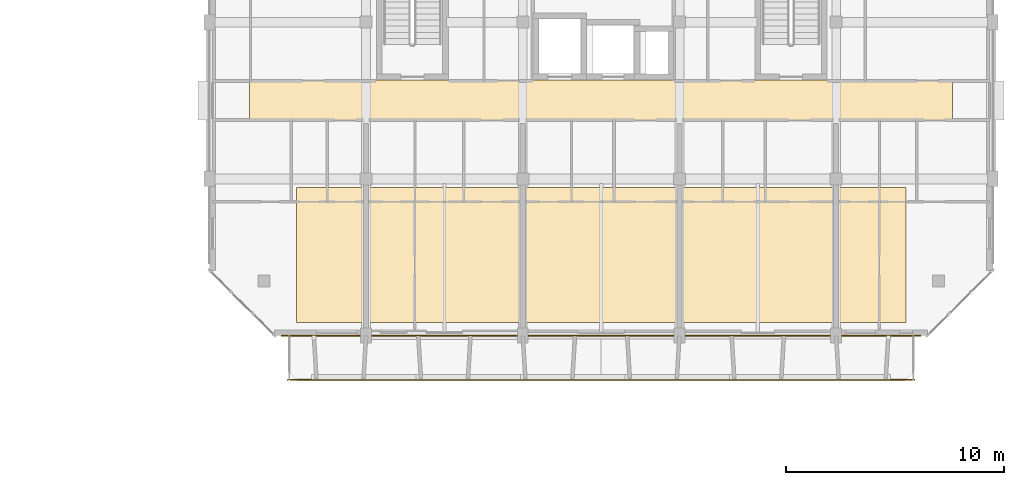
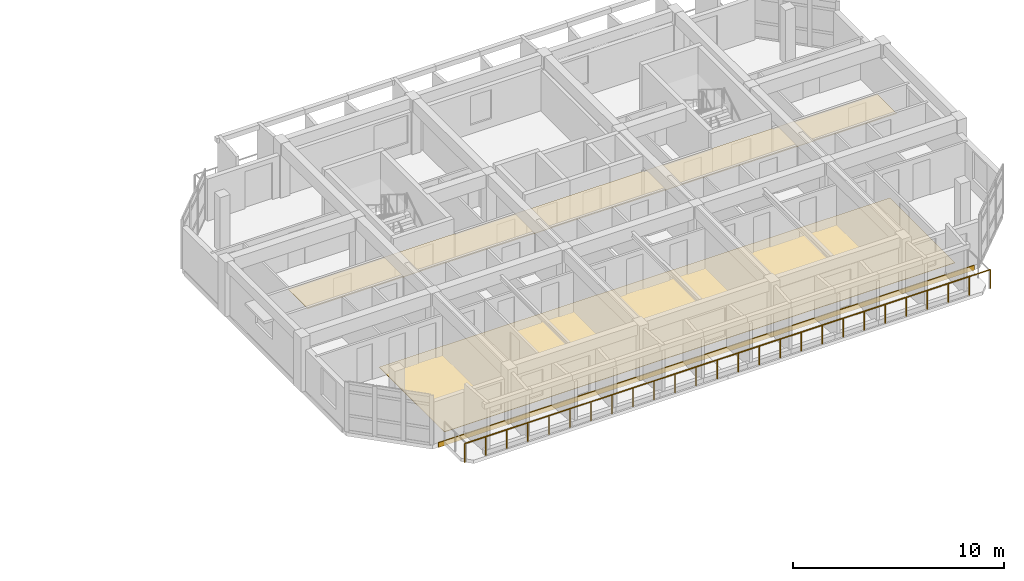
# One storey, part 60 of 64: 3 coverings, 1 railing.
"""IFC4 building model written with IfcOpenShell, lengths in metres."""

from ifc_helpers import new_model, si_unit, direction, frame, origin, origin_2d, place, context, subcontext, project, spatial, polyline, rectangle, circle, outline, extrude, material, layer, layer_set, type_object, element, save


model = new_model("IFC4")

# Units and contexts
model_context = context("Model", 3, precision=1e-05, world=origin(), true_north=direction((0.0, 1.0)))
body_context = subcontext(model_context, "Body", "Model", "MODEL_VIEW")
ifc_project = project(units=[si_unit("LENGTHUNIT", "METRE"), si_unit("AREAUNIT", "SQUARE_METRE"), si_unit("VOLUMEUNIT", "CUBIC_METRE"), si_unit("PLANEANGLEUNIT", "RADIAN"), si_unit("MASSUNIT", "GRAM", prefix="KILO")], contexts=[model_context])

# Site, building, storey
site_placement = place(None, origin())
site = spatial("IfcSite", under=ifc_project, at=site_placement, CompositionType="ELEMENT")
building_placement = place(site_placement, origin())
building = spatial("IfcBuilding", under=site, at=building_placement, Name="Ochrevale Crest", CompositionType="ELEMENT")
storey_placement = place(building_placement, frame((0.0, 0.0, 8.699951171875)))
storey = spatial("IfcBuildingStorey", under=building, at=storey_placement, Name="L02", CompositionType="ELEMENT", Elevation=8.699951171875)

# Coverings
ifc_material_1 = material(Name="Gypsum plasterboard", Category="gypsum")
ifc_layer_1 = layer(ifc_material_1, 0.02490234375)
ifc_layer_set_1 = layer_set([ifc_layer_1], Name="Gypsum plasterboard")
covering_type_1 = type_object("IfcCoveringType", Name="COV-CEIL-GYP", PredefinedType="CEILING", material=ifc_layer_set_1)
covering_1_placement = place(storey_placement, frame((0.0, 0.0, 2.280029296875)))
element("IfcCovering", 1, at=covering_1_placement, inside=storey, type_object=covering_type_1, Name="Block C L02 acoustic corridor ceiling", PredefinedType="CEILING", context=body_context, shape_type="SweptSolid", body=[
    extrude(outline(polyline([(131.449951171875, 24.260009765625), (163.75, 24.260009765625), (163.75, 26.139892578125), (131.449951171875, 26.139892578125), (131.449951171875, 24.260009765625)])), origin(), (0.0, 0.0, 1.0), 0.02490234375),
])
ifc_material_2 = material(Name="Glazed terracotta rainscreen tile", Category="masonry")
ifc_layer_2 = layer(ifc_material_2, 0.048095703125)
ifc_layer_set_2 = layer_set([ifc_layer_2], Name="Glazed terracotta rainscreen tile")
covering_type_2 = type_object("IfcCoveringType", Name="COV-CLAD-TER", PredefinedType="CLADDING", material=ifc_layer_set_2)
covering_2_placement = place(storey_placement, frame((147.60009765625, 14.387451171875, -0.259765625), z_axis=(0.0, 0.0, 1.0), x_axis=(1.0, 0.0, 0.0)))
element("IfcCovering", 2, at=covering_2_placement, inside=storey, type_object=covering_type_2, Name="Block C L02 terracotta slab-edge spandrel cladding", PredefinedType="CLADDING", context=body_context, shape_type="SweptSolid", body=[
    extrude(rectangle(XDim=29.39990234375, YDim=0.06005859375, at=origin_2d()), origin(), (0.0, 0.0, 1.0), 0.280029296875),
])
ifc_material_3 = material(Name="Engineered spotted-gum hardwood flooring", Category="wood")
ifc_layer_3 = layer(ifc_material_3, 0.02001953125)
ifc_layer_set_3 = layer_set([ifc_layer_3], Name="Engineered spotted-gum hardwood flooring")
covering_type_3 = type_object("IfcCoveringType", Name="COV-FLR-TIM", PredefinedType="FLOORING", material=ifc_layer_set_3)
covering_3_placement = place(storey_placement, origin())
element("IfcCovering", 3, at=covering_3_placement, inside=storey, type_object=covering_type_3, Name="Block C L02 spotted-gum apartment flooring", PredefinedType="FLOORING", context=body_context, shape_type="SweptSolid", body=[
    extrude(outline(polyline([(133.60009765625, 15.0), (161.60009765625, 15.0), (161.60009765625, 21.199951171875), (133.60009765625, 21.199951171875), (133.60009765625, 15.0)])), origin(), (0.0, 0.0, 1.0), 0.02001953125),
])

# Railing
ifc_material_4 = material(Name="Galvanised steel", Category="steel")
railing_type = type_object("IfcRailingType", Name="RL-BAL-1100", PredefinedType="BALUSTRADE", material=ifc_material_4)
railing_placement = place(storey_placement, frame((133.199951171875, 12.360107421875, 0.0)))
element("IfcRailing", 4, at=railing_placement, inside=storey, type_object=railing_type, Name="Block C L02 S balcony front balustrade", PredefinedType="BALUSTRADE", context=body_context, shape_type="SweptSolid", body=[
    extrude(circle(Radius=0.02392578125, at=origin_2d()), frame((0.0, 0.0, 1.0859375), z_axis=(1.0, 0.0, 0.0), x_axis=(0.0, 1.0, 0.0)), (0.0, 0.0, 1.0), 28.800048828125),
    extrude(circle(Radius=0.02099609375, at=origin_2d()), origin(), (0.0, 0.0, 1.0), 1.06201171875),
    extrude(circle(Radius=0.02099609375, at=origin_2d()), frame((1.152099609375, 0.0, 0.0)), (0.0, 0.0, 1.0), 1.06201171875),
    extrude(circle(Radius=0.02099609375, at=origin_2d()), frame((2.303955078125, 0.0, 0.0)), (0.0, 0.0, 1.0), 1.06201171875),
    extrude(circle(Radius=0.02099609375, at=origin_2d()), frame((3.4560546875, 0.0, 0.0)), (0.0, 0.0, 1.0), 1.06201171875),
    extrude(circle(Radius=0.02099609375, at=origin_2d()), frame((4.60791015625, 0.0, 0.0)), (0.0, 0.0, 1.0), 1.06201171875),
    extrude(circle(Radius=0.02099609375, at=origin_2d()), frame((5.760009765625, 0.0, 0.0)), (0.0, 0.0, 1.0), 1.06201171875),
    extrude(circle(Radius=0.02099609375, at=origin_2d()), frame((6.912109375, 0.0, 0.0)), (0.0, 0.0, 1.0), 1.06201171875),
    extrude(circle(Radius=0.02099609375, at=origin_2d()), frame((8.06396484375, 0.0, 0.0)), (0.0, 0.0, 1.0), 1.06201171875),
    extrude(circle(Radius=0.02099609375, at=origin_2d()), frame((9.216064453125, 0.0, 0.0)), (0.0, 0.0, 1.0), 1.06201171875),
    extrude(circle(Radius=0.02099609375, at=origin_2d()), frame((10.367919921875, 0.0, 0.0)), (0.0, 0.0, 1.0), 1.06201171875),
    extrude(circle(Radius=0.02099609375, at=origin_2d()), frame((11.52001953125, 0.0, 0.0)), (0.0, 0.0, 1.0), 1.06201171875),
    extrude(circle(Radius=0.02099609375, at=origin_2d()), frame((12.672119140625, 0.0, 0.0)), (0.0, 0.0, 1.0), 1.06201171875),
    extrude(circle(Radius=0.02099609375, at=origin_2d()), frame((13.823974609375, 0.0, 0.0)), (0.0, 0.0, 1.0), 1.06201171875),
    extrude(circle(Radius=0.02099609375, at=origin_2d()), frame((14.97607421875, 0.0, 0.0)), (0.0, 0.0, 1.0), 1.06201171875),
    extrude(circle(Radius=0.02099609375, at=origin_2d()), frame((16.1279296875, 0.0, 0.0)), (0.0, 0.0, 1.0), 1.06201171875),
    extrude(circle(Radius=0.02099609375, at=origin_2d()), frame((17.280029296875, 0.0, 0.0)), (0.0, 0.0, 1.0), 1.06201171875),
    extrude(circle(Radius=0.02099609375, at=origin_2d()), frame((18.43212890625, 0.0, 0.0)), (0.0, 0.0, 1.0), 1.06201171875),
    extrude(circle(Radius=0.02099609375, at=origin_2d()), frame((19.583984375, 0.0, 0.0)), (0.0, 0.0, 1.0), 1.06201171875),
    extrude(circle(Radius=0.02099609375, at=origin_2d()), frame((20.736083984375, 0.0, 0.0)), (0.0, 0.0, 1.0), 1.06201171875),
    extrude(circle(Radius=0.02099609375, at=origin_2d()), frame((21.887939453125, 0.0, 0.0)), (0.0, 0.0, 1.0), 1.06201171875),
    extrude(circle(Radius=0.02099609375, at=origin_2d()), frame((23.0400390625, 0.0, 0.0)), (0.0, 0.0, 1.0), 1.06201171875),
    extrude(circle(Radius=0.02099609375, at=origin_2d()), frame((24.192138671875, 0.0, 0.0)), (0.0, 0.0, 1.0), 1.06201171875),
    extrude(circle(Radius=0.02099609375, at=origin_2d()), frame((25.343994140625, 0.0, 0.0)), (0.0, 0.0, 1.0), 1.06201171875),
    extrude(circle(Radius=0.02099609375, at=origin_2d()), frame((26.49609375, 0.0, 0.0)), (0.0, 0.0, 1.0), 1.06201171875),
    extrude(circle(Radius=0.02099609375, at=origin_2d()), frame((27.64794921875, 0.0, 0.0)), (0.0, 0.0, 1.0), 1.06201171875),
    extrude(circle(Radius=0.02099609375, at=origin_2d()), frame((28.800048828125, 0.0, 0.0)), (0.0, 0.0, 1.0), 1.06201171875),
])

save(model, "model.ifc")
